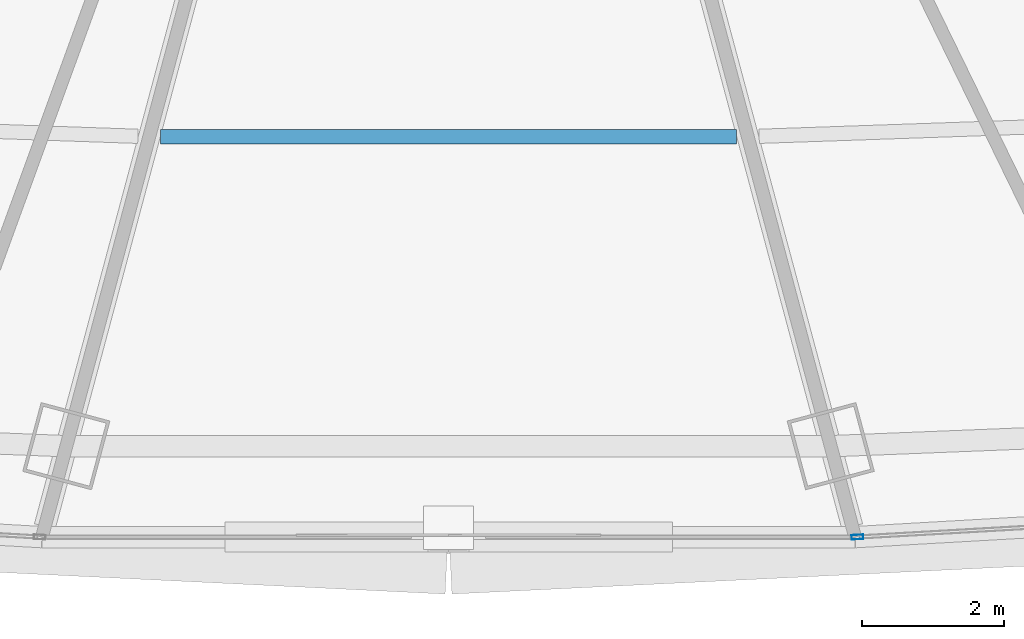
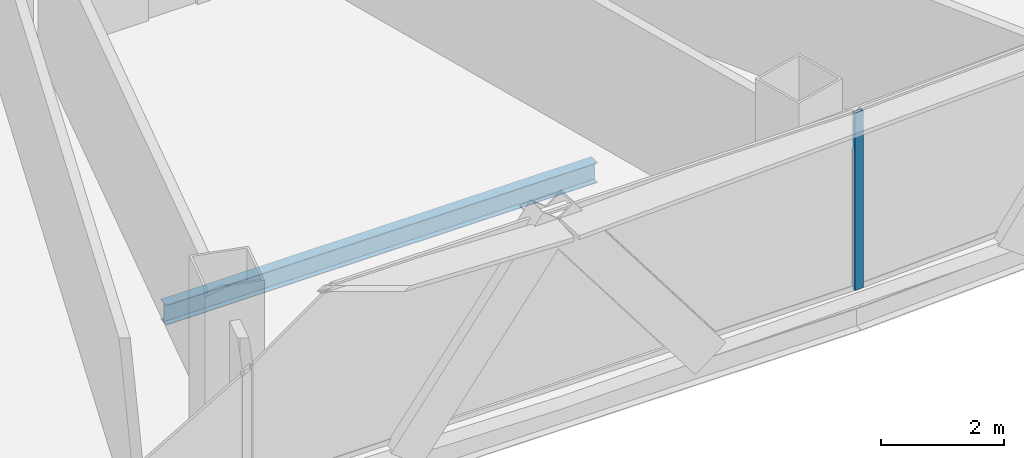
# One storey, part 12 of 41: 1 beam, 1 member, 1 element without a shape of its own.
"""IFC4 building model written with IfcOpenShell, lengths in metres."""

from ifc_helpers import new_model, si_unit, direction, frame, origin, origin_2d, place, context, subcontext, project, spatial, hollow_rectangle, i_section, extrude, source, transform, mapped, material, layer, layer_set, material_profile, profile_set, type_object, element, aggregate, save


model = new_model("IFC4")

# Units and contexts
model_context = context("Model", 3, precision=1e-05, world=origin(), true_north=direction((0.0, 1.0)))
body_context = subcontext(model_context, "Body", "Model", "MODEL_VIEW")
ifc_project = project(units=[si_unit("LENGTHUNIT", "METRE"), si_unit("AREAUNIT", "SQUARE_METRE"), si_unit("VOLUMEUNIT", "CUBIC_METRE"), si_unit("PLANEANGLEUNIT", "RADIAN"), si_unit("MASSUNIT", "GRAM", prefix="KILO"), si_unit("THERMODYNAMICTEMPERATUREUNIT", "KELVIN"), si_unit("POWERUNIT", "WATT")], contexts=[model_context])

# Site, building, storey
site_placement = place(None, origin())
site = spatial("IfcSite", under=ifc_project, at=site_placement, CompositionType="ELEMENT")
building_placement = place(site_placement, origin())
building = spatial("IfcBuilding", under=site, at=building_placement, Name="Yunzhuo Pagoda Commons", CompositionType="ELEMENT")
storey_placement = place(building_placement, frame((0.0, 0.0, 115.3798828125)))
storey = spatial("IfcBuildingStorey", under=building, at=storey_placement, Name="L29", CompositionType="ELEMENT", Elevation=115.3798828125)

# Beam
ifc_material_1 = material(Name="Structural steel Q355B", Category="steel")
ifc_material_profile_1 = material_profile(ifc_material_1, i_section(OverallWidth=0.199951171875, OverallDepth=0.39990234375, WebThickness=0.008056640625, FlangeThickness=0.012939453125, at=origin_2d()), Name="Structural steel Q355B")
ifc_profile_set_1 = profile_set([ifc_material_profile_1], Name="Structural steel Q355B")
beam_type = type_object("IfcBeamType", Name="B-JS1 Joist HN 400x200x8x13", PredefinedType="JOIST", material=ifc_profile_set_1)
shared_shape_1 = source(origin(), body_context, "Body", "SweptSolid", [
    extrude(i_section(OverallWidth=0.199951171875, OverallDepth=0.39990234375, WebThickness=0.008056640625, FlangeThickness=0.012939453125, at=origin_2d()), origin(), (0.0, 0.0, 1.0), 8.087890625),
])
beam_placement = place(storey_placement, frame((43.9560546875, 18.014404296875, -0.4599609375), z_axis=(1.0, 0.0, 0.0), x_axis=(0.0, 1.0, 0.0)))
element("IfcBeam", 1, at=beam_placement, inside=storey, type_object=beam_type, Name="L29 composite ring joist 2.2", PredefinedType="JOIST", context=body_context, shape_type="MappedRepresentation", body=[
    mapped(shared_shape_1, transform((0.0, 0.0, 0.0), scale=1.0)),
])

# Curtain wall, member
ifc_material_2 = material(Name="Anodized aluminium 6063-T6", Category="aluminium")
ifc_layer = layer(ifc_material_2, 0.1650390625)
ifc_layer_set = layer_set([ifc_layer], Name="Anodized aluminium 6063-T6")
curtain_wall_type = type_object("IfcCurtainWallType", Name="CW-LOW Low-Zone Ribbon Curtain Wall", PredefinedType="NOTDEFINED", material=ifc_layer_set)
curtain_wall_placement = place(storey_placement, origin())
curtain_wall = element("IfcCurtainWall", 2, at=curtain_wall_placement, inside=storey, type_object=curtain_wall_type, Name="L29 curtain wall CW-L29-F1B4", PredefinedType="NOTDEFINED")
ifc_material_profile_2 = material_profile(ifc_material_2, hollow_rectangle(XDim=0.06494140625, YDim=0.1650390625, WallThickness=0.00390625, at=origin_2d()), Name="Anodized aluminium 6063-T6")
ifc_profile_set_2 = profile_set([ifc_material_profile_2], Name="Anodized aluminium 6063-T6")
member_type = type_object("IfcMemberType", Name="CW-LOW-M Mullion RHS 165x65x4", PredefinedType="MULLION", material=ifc_profile_set_2)
shared_shape_2 = source(origin(), body_context, "Body", "SweptSolid", [
    extrude(hollow_rectangle(XDim=0.06494140625, YDim=0.1650390625, WallThickness=0.00390625, at=origin_2d()), origin(), (0.0, 0.0, 1.0), 3.52001953125),
])
member_placement = place(storey_placement, frame((53.742431640625, 12.392822265625, 0.0), z_axis=(0.0, 0.0, 1.0), x_axis=(-0.057027757736, 0.998372593197, 0.0)))
member = element("IfcMember", 3, at=member_placement, type_object=member_type, Name="CW mullion 1", PredefinedType="MULLION", context=body_context, shape_type="MappedRepresentation", body=[
    mapped(shared_shape_2, transform((0.0, 0.0, 0.0), scale=1.0)),
])
aggregate(curtain_wall, [member])

save(model, "model.ifc")
